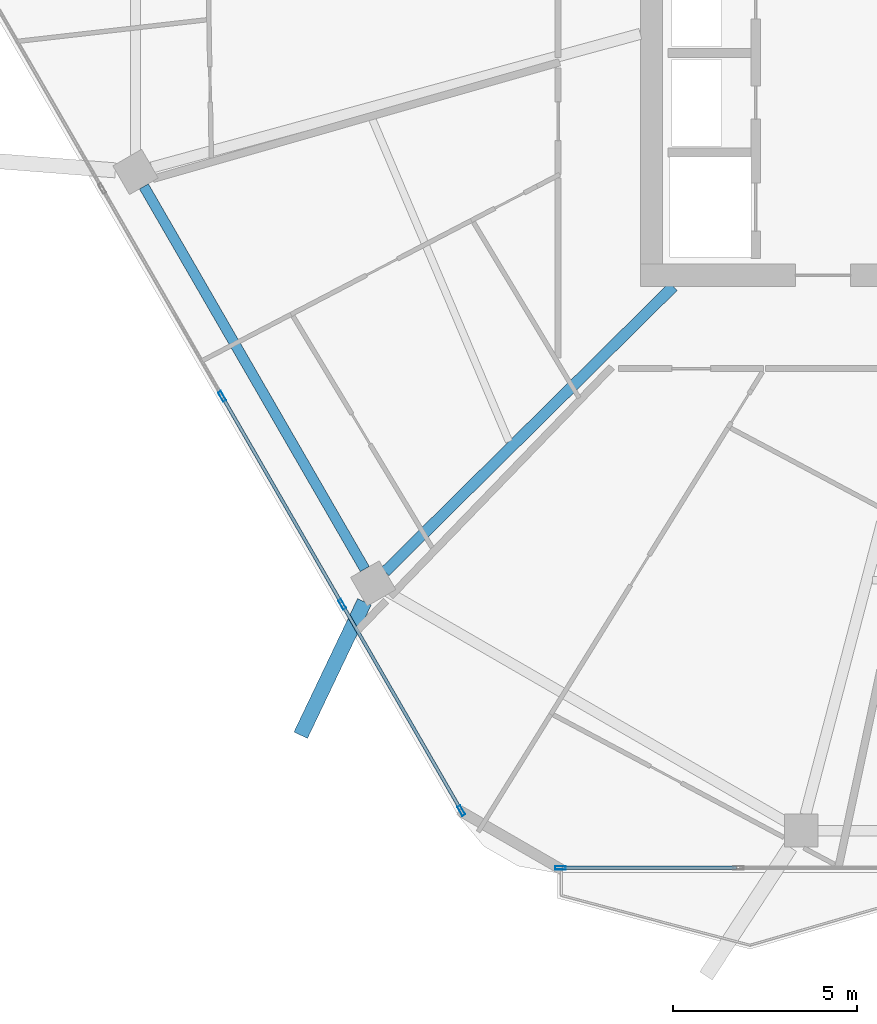
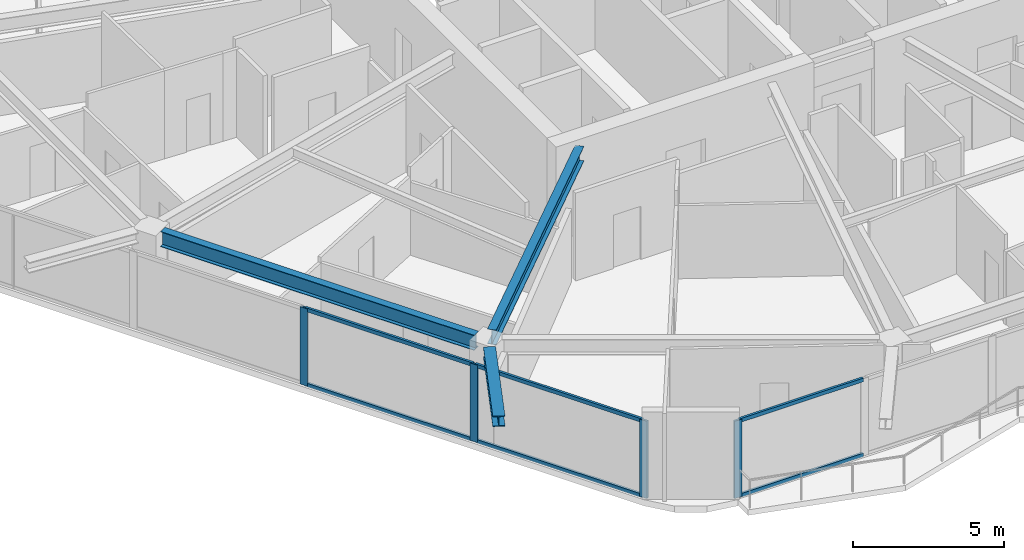
# One storey, part 2 of 26: 10 members, 3 beams, 2 elements without a shape of their own.
"""IFC4 building model written with IfcOpenShell, lengths in metres."""

from ifc_helpers import new_model, si_unit, direction, frame, origin, origin_2d, place, context, subcontext, project, spatial, hollow_rectangle, i_section, extrude, material, material_profile, profile_set, type_object, element, aggregate, save


model = new_model("IFC4")

# Units and contexts
model_context = context("Model", 3, precision=1e-05, world=origin(), true_north=direction((0.0, 1.0)))
body_context = subcontext(model_context, "Body", "Model", "MODEL_VIEW")
ifc_project = project(units=[si_unit("LENGTHUNIT", "METRE"), si_unit("AREAUNIT", "SQUARE_METRE"), si_unit("VOLUMEUNIT", "CUBIC_METRE"), si_unit("PLANEANGLEUNIT", "RADIAN"), si_unit("MASSUNIT", "GRAM", prefix="KILO")], contexts=[model_context])

# Site, building, storey
site_placement = place(None, origin())
site = spatial("IfcSite", under=ifc_project, at=site_placement, CompositionType="ELEMENT")
building_placement = place(site_placement, origin())
building = spatial("IfcBuilding", under=site, at=building_placement, Name="Zuhravey Tower", CompositionType="ELEMENT")
storey_placement = place(building_placement, frame((0.0, 0.0, 242.60009765625)))
storey = spatial("IfcBuildingStorey", under=building, at=storey_placement, Name="L61", CompositionType="ELEMENT", Elevation=242.60009765625)

# Curtain wall, member
ifc_material_1 = material(Name="Thermally broken anodised aluminium", Category="aluminium")
curtain_wall_type = type_object("IfcCurtainWallType", Name="Zone 3-4 High-Rise Curtain Wall CW4", PredefinedType="NOTDEFINED", material=ifc_material_1)
curtain_wall_1_placement = place(storey_placement, origin())
curtain_wall_1 = element("IfcCurtainWall", 1, at=curtain_wall_1_placement, inside=storey, type_object=curtain_wall_type, Name="L61 CW4 CW-L61-F5-2", PredefinedType="NOTDEFINED")
ifc_material_2 = material(Name="Anodised aluminium", Category="aluminium")
ifc_material_profile_1 = material_profile(ifc_material_2, hollow_rectangle(XDim=0.090087890625, YDim=0.284912109375, WallThickness=0.0048828125, at=origin_2d()), Name="ALU-RHS-90x285x5")
ifc_profile_set_1 = profile_set([ifc_material_profile_1], Name="Anodised aluminium")
member_type_1 = type_object("IfcMemberType", Name="Curtain-Wall Mullion 90x180", PredefinedType="MULLION", material=ifc_profile_set_1)
member_1_placement = place(storey_placement, frame((23.0322265625, 6.436279296875, 0.0), z_axis=(0.0, 0.0, 1.0), x_axis=(0.0, -1.0, 0.0)))
member_1 = element("IfcMember", 2, at=member_1_placement, type_object=member_type_1, Name="CW4 mullion 4", PredefinedType="MULLION", context=body_context, shape_type="SweptSolid", body=[
    extrude(hollow_rectangle(XDim=0.090087890625, YDim=0.284912109375, WallThickness=0.0048828125, at=origin_2d()), origin(), (0.0, 0.0, 1.0), 3.121826171875),
])

# Curtain wall, members
curtain_wall_2_placement = place(storey_placement, origin())
curtain_wall_2 = element("IfcCurtainWall", 3, at=curtain_wall_2_placement, inside=storey, type_object=curtain_wall_type, Name="L61 CW4 CW-L61-F4-1", PredefinedType="NOTDEFINED")
member_2_placement = place(storey_placement, frame((20.34521484375, 7.98779296875, 0.0), z_axis=(0.0, 0.0, 1.0), x_axis=(-0.866024851021, -0.500000957414, 0.0)))
member_2 = element("IfcMember", 4, at=member_2_placement, type_object=member_type_1, Name="CW4 mullion 1", PredefinedType="MULLION", context=body_context, shape_type="SweptSolid", body=[
    extrude(hollow_rectangle(XDim=0.090087890625, YDim=0.284912109375, WallThickness=0.0048828125, at=origin_2d()), origin(), (0.0, 0.0, 1.0), 3.121826171875),
])
member_3_placement = place(storey_placement, frame((17.114501953125, 13.58349609375, 0.0), z_axis=(0.0, 0.0, 1.0), x_axis=(-0.866024851021, -0.500000957414, 0.0)))
member_3 = element("IfcMember", 5, at=member_3_placement, type_object=member_type_1, Name="CW4 mullion 2", PredefinedType="MULLION", context=body_context, shape_type="SweptSolid", body=[
    extrude(hollow_rectangle(XDim=0.090087890625, YDim=0.284912109375, WallThickness=0.0048828125, at=origin_2d()), origin(), (0.0, 0.0, 1.0), 3.121826171875),
])
member_4_placement = place(storey_placement, frame((13.861328125, 19.21826171875, 0.0), z_axis=(0.0, 0.0, 1.0), x_axis=(-0.866024851021, -0.500000957414, 0.0)))
member_4 = element("IfcMember", 6, at=member_4_placement, type_object=member_type_1, Name="CW4 mullion 3", PredefinedType="MULLION", context=body_context, shape_type="SweptSolid", body=[
    extrude(hollow_rectangle(XDim=0.090087890625, YDim=0.284912109375, WallThickness=0.0048828125, at=origin_2d()), origin(), (0.0, 0.0, 1.0), 3.121826171875),
])

# Member
ifc_material_profile_2 = material_profile(ifc_material_2, hollow_rectangle(XDim=0.090087890625, YDim=0.14990234375, WallThickness=0.0048828125, at=origin_2d()), Name="ALU-RHS-90x150x5")
ifc_profile_set_2 = profile_set([ifc_material_profile_2], Name="Anodised aluminium")
member_type_2 = type_object("IfcMemberType", Name="Curtain-Wall Transom 90x150", PredefinedType="USERDEFINED", material=ifc_profile_set_2)
member_5_placement = place(storey_placement, frame((27.808349609375, 6.436279296875, 0.044921875), z_axis=(-1.0, 0.0, 0.0), x_axis=(0.0, -1.0, 0.0)))
member_5 = element("IfcMember", 7, at=member_5_placement, type_object=member_type_2, Name="CW4 transom 3.1", ObjectType="TRANSOM", PredefinedType="USERDEFINED", context=body_context, shape_type="SweptSolid", body=[
    extrude(hollow_rectangle(XDim=0.090087890625, YDim=0.14990234375, WallThickness=0.0048828125, at=origin_2d()), origin(), (0.0, 0.0, 1.0), 4.73095703125),
])

member_6_placement = place(storey_placement, frame((27.808349609375, 6.436279296875, 3.076904296875), z_axis=(-1.0, 0.0, 0.0), x_axis=(0.0, -1.0, 0.0)))
member_6 = element("IfcMember", 8, at=member_6_placement, type_object=member_type_2, Name="CW4 transom 3.2", ObjectType="TRANSOM", PredefinedType="USERDEFINED", context=body_context, shape_type="SweptSolid", body=[
    extrude(hollow_rectangle(XDim=0.090087890625, YDim=0.14990234375, WallThickness=0.0048828125, at=origin_2d()), origin(), (0.0, 0.0, 1.0), 4.73095703125),
])

aggregate(curtain_wall_1, [member_1, member_5, member_6])

member_7_placement = place(storey_placement, frame((20.322509765625, 8.02685546875, 0.044921875), z_axis=(-0.499980071345, 0.866036909293, 0.0), x_axis=(-0.866036909293, -0.499980071345, 0.0)))
member_7 = element("IfcMember", 9, at=member_7_placement, type_object=member_type_2, Name="CW4 transom 1.1", ObjectType="TRANSOM", PredefinedType="USERDEFINED", context=body_context, shape_type="SweptSolid", body=[
    extrude(hollow_rectangle(XDim=0.090087890625, YDim=0.14990234375, WallThickness=0.0048828125, at=origin_2d()), origin(), (0.0, 0.0, 1.0), 6.371337890625),
])

member_8_placement = place(storey_placement, frame((20.322509765625, 8.02685546875, 3.076904296875), z_axis=(-0.499980071345, 0.866036909293, 0.0), x_axis=(-0.866036909293, -0.499980071345, 0.0)))
member_8 = element("IfcMember", 10, at=member_8_placement, type_object=member_type_2, Name="CW4 transom 1.2", ObjectType="TRANSOM", PredefinedType="USERDEFINED", context=body_context, shape_type="SweptSolid", body=[
    extrude(hollow_rectangle(XDim=0.090087890625, YDim=0.14990234375, WallThickness=0.0048828125, at=origin_2d()), origin(), (0.0, 0.0, 1.0), 6.371337890625),
])

member_9_placement = place(storey_placement, frame((17.092041015625, 13.62255859375, 0.044921875), z_axis=(-0.500014493347, 0.866017035885, 0.0), x_axis=(-0.866017035885, -0.500014493347, 0.0)))
member_9 = element("IfcMember", 11, at=member_9_placement, type_object=member_type_2, Name="CW4 transom 2.1", ObjectType="TRANSOM", PredefinedType="USERDEFINED", context=body_context, shape_type="SweptSolid", body=[
    extrude(hollow_rectangle(XDim=0.090087890625, YDim=0.14990234375, WallThickness=0.0048828125, at=origin_2d()), origin(), (0.0, 0.0, 1.0), 6.416259765625),
])

member_10_placement = place(storey_placement, frame((17.092041015625, 13.62255859375, 3.076904296875), z_axis=(-0.500014493347, 0.866017035885, 0.0), x_axis=(-0.866017035885, -0.500014493347, 0.0)))
member_10 = element("IfcMember", 12, at=member_10_placement, type_object=member_type_2, Name="CW4 transom 2.2", ObjectType="TRANSOM", PredefinedType="USERDEFINED", context=body_context, shape_type="SweptSolid", body=[
    extrude(hollow_rectangle(XDim=0.090087890625, YDim=0.14990234375, WallThickness=0.0048828125, at=origin_2d()), origin(), (0.0, 0.0, 1.0), 6.416259765625),
])

aggregate(curtain_wall_2, [member_2, member_3, member_4, member_7, member_8, member_9, member_10])

# Beams
ifc_material_3 = material(Name="Steel SM460", Category="steel")
ifc_material_profile_3 = material_profile(ifc_material_3, i_section(OverallWidth=0.406982421875, OverallDepth=0.427978515625, WebThickness=0.02001953125, FlangeThickness=0.034912109375, at=origin_2d()), Name="H-428x407x20x35")
ifc_profile_set_3 = profile_set([ifc_material_profile_3], Name="Steel SM460")
beam_type_1 = type_object("IfcBeamType", Name="Exoskeleton Node Tie Beam H428x407", PredefinedType="BEAM", material=ifc_profile_set_3)
beam_1_placement = place(storey_placement, frame((17.719482421875, 13.649169921875, 3.3359375), z_axis=(-0.431011445347, -0.902346460058, 0.0), x_axis=(0.902346460058, -0.431011445347, 0.0)))
element("IfcBeam", 13, at=beam_1_placement, inside=storey, type_object=beam_type_1, Name="L61 Exoskeleton Node Tie NT1-08", PredefinedType="BEAM", context=body_context, shape_type="SweptSolid", body=[
    extrude(i_section(OverallWidth=0.406982421875, OverallDepth=0.427978515625, WebThickness=0.02001953125, FlangeThickness=0.034912109375, at=origin_2d()), origin(), (0.0, 0.0, 1.0), 4.008056640625),
])
ifc_material_4 = material(Name="Steel SM355", Category="steel")
ifc_material_profile_4 = material_profile(ifc_material_4, i_section(OverallWidth=0.280029296875, OverallDepth=0.6201171875, WebThickness=0.011962890625, FlangeThickness=0.02001953125, at=origin_2d()), Name="H-620x280x12x20")
ifc_profile_set_4 = profile_set([ifc_material_profile_4], Name="Steel SM355")
beam_type_2 = type_object("IfcBeamType", Name="Perimeter Ring Beam H620x280", PredefinedType="BEAM", material=ifc_profile_set_4)
beam_2_placement = place(storey_placement, frame((11.741943359375, 24.90869140625, 3.239990234375), z_axis=(0.500017744717, -0.866015158625, 0.0), x_axis=(0.866015158625, 0.500017744717, 0.0)))
element("IfcBeam", 14, at=beam_2_placement, inside=storey, type_object=beam_type_2, Name="L61 PB3 BM-L61-PB-07", PredefinedType="BEAM", context=body_context, shape_type="SweptSolid", body=[
    extrude(i_section(OverallWidth=0.280029296875, OverallDepth=0.6201171875, WebThickness=0.011962890625, FlangeThickness=0.02001953125, at=origin_2d()), origin(), (0.0, 0.0, 1.0), 11.9755859375),
])
ifc_material_profile_5 = material_profile(ifc_material_4, i_section(OverallWidth=0.300048828125, OverallDepth=0.60009765625, WebThickness=0.011962890625, FlangeThickness=0.02001953125, at=origin_2d()), Name="H-600x300x12x20")
ifc_profile_set_5 = profile_set([ifc_material_profile_5], Name="Steel SM355")
beam_type_3 = type_object("IfcBeamType", Name="Radial Primary Girder H600x300", PredefinedType="BEAM", material=ifc_profile_set_5)
beam_3_placement = place(storey_placement, frame((26.09326171875, 22.197021484375, 3.25), z_axis=(-0.710816516282, -0.703377480576, 0.0), x_axis=(0.703377480576, -0.710816516282, 0.0)))
element("IfcBeam", 15, at=beam_3_placement, inside=storey, type_object=beam_type_3, Name="L61 RG3 BM-L61-RAD-08", PredefinedType="BEAM", context=body_context, shape_type="SweptSolid", body=[
    extrude(i_section(OverallWidth=0.300048828125, OverallDepth=0.60009765625, WebThickness=0.011962890625, FlangeThickness=0.02001953125, at=origin_2d()), origin(), (0.0, 0.0, 1.0), 10.994384765625),
])

save(model, "model.ifc")
